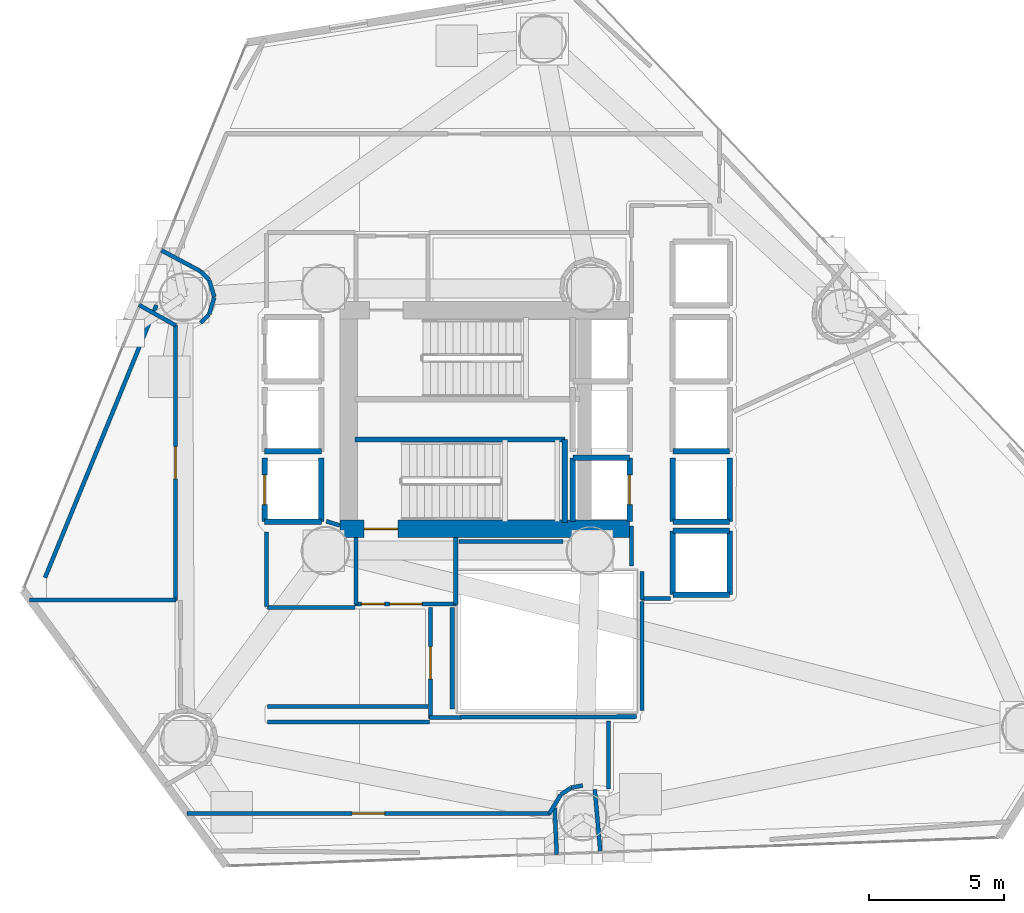
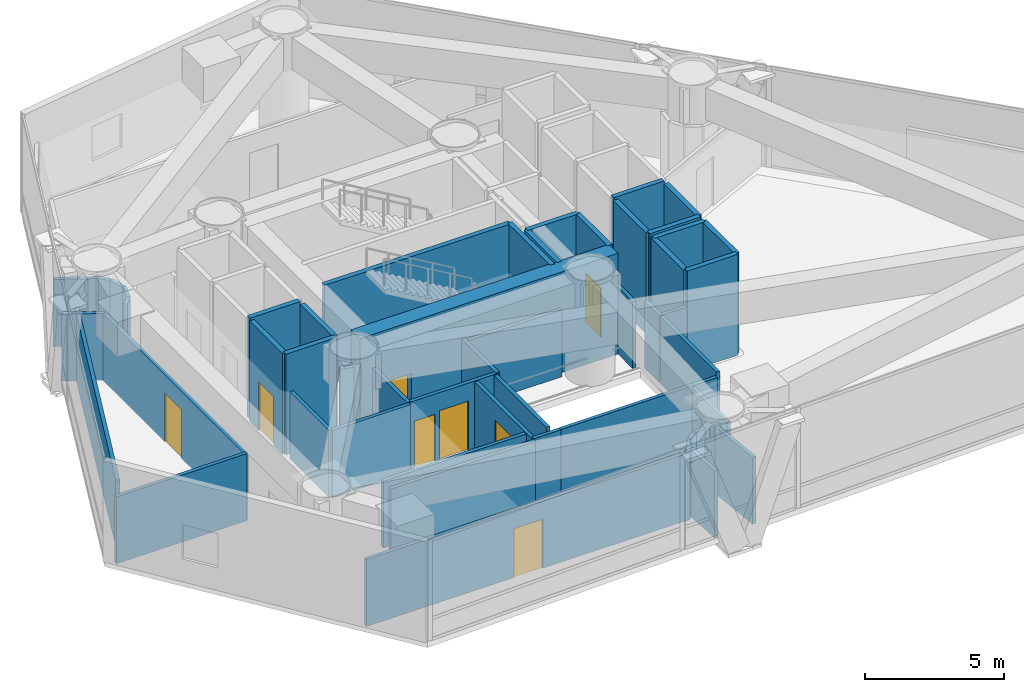
# One storey, part 17 of 22: 51 walls, 8 doors, 8 openings.
"""IFC4 building model written with IfcOpenShell, lengths in metres."""

from ifc_helpers import new_model, si_unit, direction, frame, frame_2d, origin, place, context, subcontext, project, spatial, rectangle, extrude, material, layer, layer_set, type_object, element, fill, save


model = new_model("IFC4")

# Units and contexts
model_context = context("Model", 3, precision=1e-05, world=origin(), true_north=direction((0.0, 1.0)))
body_context = subcontext(model_context, "Body", "Model", "MODEL_VIEW")
ifc_project = project(units=[si_unit("LENGTHUNIT", "METRE"), si_unit("AREAUNIT", "SQUARE_METRE"), si_unit("VOLUMEUNIT", "CUBIC_METRE"), si_unit("PLANEANGLEUNIT", "RADIAN"), si_unit("MASSUNIT", "GRAM", prefix="KILO")], contexts=[model_context])

# Site, building, storey
site_placement = place(None, origin())
site = spatial("IfcSite", under=ifc_project, at=site_placement, CompositionType="ELEMENT")
building_placement = place(site_placement, origin())
building = spatial("IfcBuilding", under=site, at=building_placement, Name="Qianvela Tower", CompositionType="ELEMENT")
storey_placement = place(building_placement, frame((0.0, 0.0, 47.89990234375)))
storey = spatial("IfcBuildingStorey", under=building, at=storey_placement, Name="L11", CompositionType="ELEMENT", Elevation=47.89990234375)

# Wall, opening, door
ifc_material_1 = material(Name="Concrete C60", Category="concrete")
ifc_layer_1 = layer(ifc_material_1, 0.64990234375)
ifc_layer_set_1 = layer_set([ifc_layer_1], Name="Concrete C60")
wall_type_1 = type_object("IfcWallType", Name="WT-CORE-650", PredefinedType="SHEAR", material=ifc_layer_set_1)
wall_1_placement = place(storey_placement, frame((29.1298828125, 24.655029296875, 0.0), z_axis=(0.0, 0.0, 1.0), x_axis=(1.0, 0.0, 0.0)))
wall_1 = element("IfcWall", 1, at=wall_1_placement, inside=storey, type_object=wall_type_1, Name="L11 South Core Shear Wall", PredefinedType="SHEAR", context=body_context, shape_type="SweptSolid", body=[
    extrude(rectangle(XDim=10.72021484375, YDim=0.64990234375, at=frame_2d((5.360107421875, 0.0))), origin(), (0.0, 0.0, 1.0), 4.420166015625),
])
opening_1_placement = place(wall_1_placement, frame((0.89501953125, 0.0, 0.0)))
opening_1 = element("IfcOpeningElement", 2, at=opening_1_placement, cuts=wall_1, Name="Opening D-ST1", PredefinedType="OPENING", context=body_context, shape_type="SweptSolid", body=[
    extrude(rectangle(XDim=1.25, YDim=2.14990234375, at=frame_2d((0.625, 1.074951171875))), frame((0.0, 0.3349609375, 0.0), z_axis=(0.0, -1.0, 0.0), x_axis=(1.0, 0.0, 0.0)), (0.0, 0.0, 1.0), 0.669921875),
])
ifc_material_2 = material(Name="Galvanised Fire Steel Q355B", Category="steel")
door_type_1 = type_object("IfcDoorType", Name="DT-STAIR-FD90", OperationType="NOTDEFINED", PredefinedType="DOOR", material=ifc_material_2)
door_1_placement = place(opening_1_placement, origin())
door_1 = element("IfcDoor", 3, at=door_1_placement, inside=storey, type_object=door_type_1, Name="L11 Stair ST-2 Exit Door", OperationType="SINGLE_SWING_LEFT", OverallHeight=2.14990234375, OverallWidth=1.25, PredefinedType="DOOR", context=body_context, shape_type="SweptSolid", body=[
    extrude(rectangle(XDim=1.25, YDim=2.14990234375, at=frame_2d((0.625, 1.074951171875))), frame((0.0, 0.02490234375, 0.0), z_axis=(0.0, -1.0, 0.0), x_axis=(1.0, 0.0, 0.0)), (0.0, 0.0, 1.0), 0.050048828125),
])
fill(opening_1, door_1)

# Wall, openings, doors
ifc_material_3 = material(Name="Fire-Rated Acoustic Gypsum Board")
ifc_layer_2 = layer(ifc_material_3, 0.14990234375)
ifc_layer_set_2 = layer_set([ifc_layer_2], Name="Fire-Rated Acoustic Gypsum Board")
wall_type_2 = type_object("IfcWallType", Name="WT-CORR-150", PredefinedType="PARTITIONING", material=ifc_layer_set_2)
wall_2_placement = place(storey_placement, frame((33.449951171875, 21.881103515625, 0.0), z_axis=(0.0, 0.0, 1.0), x_axis=(-1.0, 0.0, 0.0)))
wall_2 = element("IfcWall", 4, at=wall_2_placement, inside=storey, type_object=wall_type_2, Name="L11 Partition 5", PredefinedType="PARTITIONING", context=body_context, shape_type="SweptSolid", body=[
    extrude(rectangle(XDim=3.75, YDim=0.14990234375, at=frame_2d((1.875, 0.0))), origin(), (0.0, 0.0, 1.0), 2.940185546875),
])
opening_2_placement = place(wall_2_placement, frame((1.27490234375, 0.0, 0.0)))
opening_2 = element("IfcOpeningElement", 5, at=opening_2_placement, cuts=wall_2, Name="Opening D-LB1", PredefinedType="OPENING", context=body_context, shape_type="SweptSolid", body=[
    extrude(rectangle(XDim=1.199951171875, YDim=2.14990234375, at=frame_2d((0.60009765625, 1.074951171875))), frame((0.0, 0.0849609375, 0.0), z_axis=(0.0, -1.0, 0.0), x_axis=(1.0, 0.0, 0.0)), (0.0, 0.0, 1.0), 0.169921875),
])
opening_3_placement = place(wall_2_placement, frame((2.659912109375, 0.0, 0.0)))
opening_3 = element("IfcOpeningElement", 6, at=opening_3_placement, cuts=wall_2, Name="Opening D-LB2", PredefinedType="OPENING", context=body_context, shape_type="SweptSolid", body=[
    extrude(rectangle(XDim=0.860107421875, YDim=2.050048828125, at=frame_2d((0.43017578125, 1.02490234375))), frame((0.0, 0.0849609375, 0.0), z_axis=(0.0, -1.0, 0.0), x_axis=(1.0, 0.0, 0.0)), (0.0, 0.0, 1.0), 0.169921875),
])
ifc_material_4 = material(Name="Glazed Fire-Rated Steel Frame", Category="steel")
door_type_2 = type_object("IfcDoorType", Name="DT-LOBBY-FD90", OperationType="NOTDEFINED", PredefinedType="DOOR", material=ifc_material_4)
door_2_placement = place(opening_2_placement, origin())
door_2 = element("IfcDoor", 7, at=door_2_placement, inside=storey, type_object=door_type_2, Name="L11 Door L11 Firefighting Lobby South to L11 Mechanical Plant Corridor", OperationType="SINGLE_SWING_RIGHT", OverallHeight=2.14990234375, OverallWidth=1.199951171875, PredefinedType="DOOR", context=body_context, shape_type="SweptSolid", body=[
    extrude(rectangle(XDim=1.199951171875, YDim=2.14990234375, at=frame_2d((0.60009765625, 1.074951171875))), frame((0.0, 0.02490234375, 0.0), z_axis=(0.0, -1.0, 0.0), x_axis=(1.0, 0.0, 0.0)), (0.0, 0.0, 1.0), 0.050048828125),
])
fill(opening_2, door_2)
ifc_material_5 = material(Name="Insulated Steel Fire Door Q355B", Category="steel")
door_type_3 = type_object("IfcDoorType", Name="DT-LOBBY-FD90-860", OperationType="NOTDEFINED", PredefinedType="DOOR", material=ifc_material_5)
door_3_placement = place(opening_3_placement, origin())
door_3 = element("IfcDoor", 8, at=door_3_placement, inside=storey, type_object=door_type_3, Name="L11 Door L11 Firefighting Lobby South to L11 Mechanical Plant Corridor", OperationType="SINGLE_SWING_RIGHT", OverallHeight=2.050048828125, OverallWidth=0.860107421875, PredefinedType="DOOR", context=body_context, shape_type="SweptSolid", body=[
    extrude(rectangle(XDim=0.860107421875, YDim=2.050048828125, at=frame_2d((0.43017578125, 1.02490234375))), frame((0.0, 0.02490234375, 0.0), z_axis=(0.0, -1.0, 0.0), x_axis=(1.0, 0.0, 0.0)), (0.0, 0.0, 1.0), 0.050048828125),
])
fill(opening_3, door_3)

# Walls
for number, where, z_axis, x_axis, name in (
    (9, (29.73095703125, 21.85009765625, 0.0), (0.0, 0.0, 1.0), (0.0, 1.0, 0.0), "L11 Partition 6"),
    (10, (33.4189453125, 24.342041015625, 0.0), (0.0, 0.0, 1.0), (0.0, -1.0, 0.0), "L11 Partition 8"),
):
    element("IfcWall", number, at=place(storey_placement, frame(where, z_axis=z_axis, x_axis=x_axis)), inside=storey, type_object=wall_type_2, Name=name, PredefinedType="PARTITIONING", context=body_context, shape_type="SweptSolid", body=[
        extrude(rectangle(XDim=2.491943359375, YDim=0.14990234375, at=frame_2d((1.24609375, 0.0))), origin(), (0.0, 0.0, 1.0), 2.940185546875),
    ])
wall_3_placement = place(storey_placement, frame((41.360107421875, 22.0810546875, 0.0), z_axis=(0.0, 0.0, 1.0), x_axis=(-1.0, 0.0, 0.0)))
element("IfcWall", 11, at=wall_3_placement, inside=storey, type_object=wall_type_2, Name="L11 Partition 15", PredefinedType="PARTITIONING", context=body_context, shape_type="SweptSolid", body=[
    extrude(rectangle(XDim=1.080078125, YDim=0.14990234375, at=frame_2d((0.5400390625, 0.0))), origin(), (0.0, 0.0, 1.0), 2.940185546875),
])
wall_4_placement = place(storey_placement, frame((40.31103515625, 22.05029296875, 0.0), z_axis=(0.0, 0.0, 1.0), x_axis=(-0.011836292006, 0.999929948642, 0.0)))
element("IfcWall", 12, at=wall_4_placement, inside=storey, type_object=wall_type_2, Name="L11 Partition 16", PredefinedType="PARTITIONING", context=body_context, shape_type="SweptSolid", body=[
    extrude(rectangle(XDim=1.03125, YDim=0.14990234375, at=frame_2d((0.515625, 0.0))), origin(), (0.0, 0.0, 1.0), 2.940185546875),
])
wall_5_placement = place(storey_placement, frame((39.910888671875, 23.27978515625, 0.0), z_axis=(0.0, 0.0, 1.0), x_axis=(0.009397771291, 0.999955839972, 0.0)))
element("IfcWall", 13, at=wall_5_placement, inside=storey, type_object=wall_type_2, Name="L11 Partition 17", PredefinedType="PARTITIONING", context=body_context, shape_type="SweptSolid", body=[
    extrude(rectangle(XDim=1.480712890625, YDim=0.14990234375, at=frame_2d((0.740234375, 0.0))), origin(), (0.0, 0.0, 1.0), 2.940185546875),
])
wall_6_placement = place(storey_placement, frame((29.1298828125, 24.781982421875, 0.0), z_axis=(0.0, 0.0, 1.0), x_axis=(-0.955000482512, 0.296604245422, 0.0)))
element("IfcWall", 14, at=wall_6_placement, inside=storey, type_object=wall_type_2, Name="L11 Partition 23", PredefinedType="PARTITIONING", context=body_context, shape_type="SweptSolid", body=[
    extrude(rectangle(XDim=0.5244140625, YDim=0.14990234375, at=frame_2d((0.26220703125, 0.0))), origin(), (0.0, 0.0, 1.0), 2.940185546875),
])
wall_7_placement = place(storey_placement, frame((37.388671875, 24.180908203125, 0.0), z_axis=(0.0, 0.0, 1.0), x_axis=(-1.0, 0.0, 0.0)))
element("IfcWall", 15, at=wall_7_placement, inside=storey, type_object=wall_type_2, Name="L11 Partition 29", PredefinedType="PARTITIONING", context=body_context, shape_type="SweptSolid", body=[
    extrude(rectangle(XDim=3.858642578125, YDim=0.14990234375, at=frame_2d((1.92919921875, 0.0))), origin(), (0.0, 0.0, 1.0), 2.940185546875),
])
wall_8_placement = place(storey_placement, frame((21.70751953125, 32.93505859375, 0.0), z_axis=(0.0, 0.0, 1.0), x_axis=(0.873014270305, -0.487694662512, 0.0)))
element("IfcWall", 16, at=wall_8_placement, inside=storey, type_object=wall_type_2, Name="L11 Partition 31", PredefinedType="PARTITIONING", context=body_context, shape_type="SweptSolid", body=[
    extrude(rectangle(XDim=1.554931640625, YDim=0.14990234375, at=frame_2d((0.77734375, 0.0))), origin(), (0.0, 0.0, 1.0), 2.940185546875),
])

# Wall, opening, door
wall_9_placement = place(storey_placement, frame((23.049072265625, 32.203857421875, 0.0), z_axis=(0.0, 0.0, 1.0), x_axis=(0.0, -1.0, 0.0)))
wall_9 = element("IfcWall", 17, at=wall_9_placement, inside=storey, type_object=wall_type_2, Name="L11 Partition 32", PredefinedType="PARTITIONING", context=body_context, shape_type="SweptSolid", body=[
    extrude(rectangle(XDim=10.203857421875, YDim=0.14990234375, at=frame_2d((5.10205078125, 0.0))), origin(), (0.0, 0.0, 1.0), 2.940185546875),
])
opening_4_placement = place(wall_9_placement, frame((4.501953125, 0.0, 0.0)))
opening_4 = element("IfcOpeningElement", 18, at=opening_4_placement, cuts=wall_9, Name="Opening D-LB1", PredefinedType="OPENING", context=body_context, shape_type="SweptSolid", body=[
    extrude(rectangle(XDim=1.199951171875, YDim=2.14990234375, at=frame_2d((0.60009765625, 1.074951171875))), frame((0.0, 0.0849609375, 0.0), z_axis=(0.0, -1.0, 0.0), x_axis=(1.0, 0.0, 0.0)), (0.0, 0.0, 1.0), 0.169921875),
])
door_4_placement = place(opening_4_placement, origin())
door_4 = element("IfcDoor", 19, at=door_4_placement, inside=storey, type_object=door_type_2, Name="L11 Door L11 Fire Refuge Area North to L11 Mechanical Plant Corridor", OperationType="SINGLE_SWING_RIGHT", OverallHeight=2.14990234375, OverallWidth=1.199951171875, PredefinedType="DOOR", context=body_context, shape_type="SweptSolid", body=[
    extrude(rectangle(XDim=1.199951171875, YDim=2.14990234375, at=frame_2d((0.60009765625, 1.074951171875))), frame((0.0, 0.02490234375, 0.0), z_axis=(0.0, -1.0, 0.0), x_axis=(1.0, 0.0, 0.0)), (0.0, 0.0, 1.0), 0.050048828125),
])
fill(opening_4, door_4)

# Walls
wall_10_placement = place(storey_placement, frame((23.080078125, 22.031005859375, 0.0), z_axis=(0.0, 0.0, 1.0), x_axis=(-1.0, 0.0, 0.0)))
element("IfcWall", 20, at=wall_10_placement, inside=storey, type_object=wall_type_2, Name="L11 Partition 33", PredefinedType="PARTITIONING", context=body_context, shape_type="SweptSolid", body=[
    extrude(rectangle(XDim=5.425537109375, YDim=0.14990234375, at=frame_2d((2.712890625, 0.0))), origin(), (0.0, 0.0, 1.0), 2.940185546875),
])
wall_11_placement = place(storey_placement, frame((18.228759765625, 22.853515625, 0.0), z_axis=(0.0, 0.0, 1.0), x_axis=(0.378492290578, 0.925604443579, 0.0)))
element("IfcWall", 21, at=wall_11_placement, inside=storey, type_object=wall_type_2, Name="L11 Partition 34", PredefinedType="PARTITIONING", context=body_context, shape_type="SweptSolid", body=[
    extrude(rectangle(XDim=10.889404296875, YDim=0.14990234375, at=frame_2d((5.44482421875, 0.0))), origin(), (0.0, 0.0, 1.0), 2.940185546875),
])
wall_12_placement = place(storey_placement, frame((33.60009765625, 17.68896484375, 0.0), z_axis=(0.0, 0.0, 1.0), x_axis=(0.999995817826, 0.002892115308, 0.0)))
element("IfcWall", 22, at=wall_12_placement, inside=storey, type_object=wall_type_2, Name="L11 Partition 35", PredefinedType="PARTITIONING", context=body_context, shape_type="SweptSolid", body=[
    extrude(rectangle(XDim=6.5, YDim=0.14990234375, at=frame_2d((3.25, 0.0))), origin(), (0.0, 0.0, 1.0), 2.940185546875),
])
wall_13_placement = place(storey_placement, frame((33.60009765625, 17.680908203125, 0.0), z_axis=(0.0, 0.0, 1.0), x_axis=(-1.0, 0.0, 0.0)))
element("IfcWall", 23, at=wall_13_placement, inside=storey, type_object=wall_type_2, Name="L11 Partition 36 seg 1", PredefinedType="PARTITIONING", context=body_context, shape_type="SweptSolid", body=[
    extrude(rectangle(XDim=1.150146484375, YDim=0.14990234375, at=frame_2d((0.5751953125, 0.0))), origin(), (0.0, 0.0, 1.0), 2.940185546875),
])

# Wall, opening, door
wall_14_placement = place(storey_placement, frame((32.48095703125, 17.64990234375, 0.0), z_axis=(0.0, 0.0, 1.0), x_axis=(0.0, 1.0, 0.0)))
wall_14 = element("IfcWall", 24, at=wall_14_placement, inside=storey, type_object=wall_type_2, Name="L11 Partition 37", PredefinedType="PARTITIONING", context=body_context, shape_type="SweptSolid", body=[
    extrude(rectangle(XDim=4.10009765625, YDim=0.14990234375, at=frame_2d((2.050048828125, 0.0))), origin(), (0.0, 0.0, 1.0), 2.940185546875),
])
opening_5_placement = place(wall_14_placement, frame((1.449951171875, 0.0, 0.0)))
opening_5 = element("IfcOpeningElement", 25, at=opening_5_placement, cuts=wall_14, Name="Opening D-LB1", PredefinedType="OPENING", context=body_context, shape_type="SweptSolid", body=[
    extrude(rectangle(XDim=1.199951171875, YDim=2.14990234375, at=frame_2d((0.60009765625, 1.074951171875))), frame((0.0, 0.0849609375, 0.0), z_axis=(0.0, -1.0, 0.0), x_axis=(1.0, 0.0, 0.0)), (0.0, 0.0, 1.0), 0.169921875),
])
door_5_placement = place(opening_5_placement, origin())
door_5 = element("IfcDoor", 26, at=door_5_placement, inside=storey, type_object=door_type_2, Name="L11 Door L11 Fire Refuge Area South to L11 Mechanical Plant Corridor", OperationType="SINGLE_SWING_LEFT", OverallHeight=2.14990234375, OverallWidth=1.199951171875, PredefinedType="DOOR", context=body_context, shape_type="SweptSolid", body=[
    extrude(rectangle(XDim=1.199951171875, YDim=2.14990234375, at=frame_2d((0.60009765625, 1.074951171875))), frame((0.0, 0.02490234375, 0.0), z_axis=(0.0, -1.0, 0.0), x_axis=(1.0, 0.0, 0.0)), (0.0, 0.0, 1.0), 0.050048828125),
])
fill(opening_5, door_5)

# Walls
wall_15_placement = place(storey_placement, frame((33.2890625, 21.75, 0.0), z_axis=(0.0, 0.0, 1.0), x_axis=(0.0, -1.0, 0.0)))
element("IfcWall", 27, at=wall_15_placement, inside=storey, type_object=wall_type_2, Name="L11 Partition 38", PredefinedType="PARTITIONING", context=body_context, shape_type="SweptSolid", body=[
    extrude(rectangle(XDim=3.75, YDim=0.14990234375, at=frame_2d((1.875, 0.0))), origin(), (0.0, 0.0, 1.0), 2.940185546875),
])
wall_16_placement = place(storey_placement, frame((24.298828125, 32.5966796875, 0.0), z_axis=(0.0, 0.0, 1.0), x_axis=(0.290549117662, 0.956860078708, 0.0)))
element("IfcWall", 28, at=wall_16_placement, inside=storey, type_object=wall_type_2, Name="L11 Partition 39", PredefinedType="PARTITIONING", context=body_context, shape_type="SweptSolid", body=[
    extrude(rectangle(XDim=0.650390625, YDim=0.14990234375, at=frame_2d((0.3251953125, 0.0))), origin(), (0.0, 0.0, 1.0), 2.940185546875),
])
wall_17_placement = place(storey_placement, frame((24.48779296875, 33.237060546875, 0.0), z_axis=(0.0, 0.0, 1.0), x_axis=(-0.290653516442, 0.956828371956, 0.0)))
element("IfcWall", 29, at=wall_17_placement, inside=storey, type_object=wall_type_2, Name="L11 Partition 40", PredefinedType="PARTITIONING", context=body_context, shape_type="SweptSolid", body=[
    extrude(rectangle(XDim=0.650146484375, YDim=0.14990234375, at=frame_2d((0.3251953125, 0.0))), origin(), (0.0, 0.0, 1.0), 2.940185546875),
])
wall_18_placement = place(storey_placement, frame((24.291259765625, 33.872314453125, 0.0), z_axis=(0.0, 0.0, 1.0), x_axis=(-0.707386104394, 0.706827347597, 0.0)))
element("IfcWall", 30, at=wall_18_placement, inside=storey, type_object=wall_type_2, Name="L11 Partition 41", PredefinedType="PARTITIONING", context=body_context, shape_type="SweptSolid", body=[
    extrude(rectangle(XDim=0.43701171875, YDim=0.14990234375, at=frame_2d((0.218505859375, 0.0))), origin(), (0.0, 0.0, 1.0), 2.940185546875),
])
wall_19_placement = place(storey_placement, frame((23.974853515625, 34.1865234375, 0.0), z_axis=(0.0, 0.0, 1.0), x_axis=(-0.881868462389, 0.471495509039, 0.0)))
element("IfcWall", 31, at=wall_19_placement, inside=storey, type_object=wall_type_2, Name="L11 Partition 42", PredefinedType="PARTITIONING", context=body_context, shape_type="SweptSolid", body=[
    extrude(rectangle(XDim=1.633544921875, YDim=0.14990234375, at=frame_2d((0.81689453125, 0.0))), origin(), (0.0, 0.0, 1.0), 2.940185546875),
])
wall_20_placement = place(storey_placement, frame((26.4189453125, 24.54833984375, 0.0), z_axis=(0.0, 0.0, 1.0), x_axis=(0.0, -1.0, 0.0)))
element("IfcWall", 32, at=wall_20_placement, inside=storey, type_object=wall_type_2, Name="L11 Partition 52", PredefinedType="PARTITIONING", context=body_context, shape_type="SweptSolid", body=[
    extrude(rectangle(XDim=2.768310546875, YDim=0.14990234375, at=frame_2d((1.38427734375, 0.0))), origin(), (0.0, 0.0, 1.0), 2.940185546875),
])
wall_21_placement = place(storey_placement, frame((26.449951171875, 21.7490234375, 0.0), z_axis=(0.0, 0.0, 1.0), x_axis=(1.0, 0.0, 0.0)))
element("IfcWall", 33, at=wall_21_placement, inside=storey, type_object=wall_type_2, Name="L11 Partition 53 seg 1", PredefinedType="PARTITIONING", context=body_context, shape_type="SweptSolid", body=[
    extrude(rectangle(XDim=3.25, YDim=0.14990234375, at=frame_2d((1.625, 0.0))), origin(), (0.0, 0.0, 1.0), 2.940185546875),
])
wall_22_placement = place(storey_placement, frame((32.387939453125, 18.0810546875, 0.0), z_axis=(0.0, 0.0, 1.0), x_axis=(-1.0, 0.0, 0.0)))
element("IfcWall", 34, at=wall_22_placement, inside=storey, type_object=wall_type_2, Name="L11 Partition 55", PredefinedType="PARTITIONING", context=body_context, shape_type="SweptSolid", body=[
    extrude(rectangle(XDim=5.93798828125, YDim=0.14990234375, at=frame_2d((2.968994140625, 0.0))), origin(), (0.0, 0.0, 1.0), 2.940185546875),
])
wall_23_placement = place(storey_placement, frame((26.449951171875, 17.51904296875, 0.0), z_axis=(0.0, 0.0, 1.0), x_axis=(1.0, 0.0, 0.0)))
element("IfcWall", 35, at=wall_23_placement, inside=storey, type_object=wall_type_2, Name="L11 Partition 56 seg 1", PredefinedType="PARTITIONING", context=body_context, shape_type="SweptSolid", body=[
    extrude(rectangle(XDim=6.0, YDim=0.14990234375, at=frame_2d((3.0, 0.0))), origin(), (0.0, 0.0, 1.0), 2.940185546875),
])
wall_24_placement = place(storey_placement, frame((39.069091796875, 17.550048828125, 0.0), z_axis=(0.0, 0.0, 1.0), x_axis=(0.0, -1.0, 0.0)))
element("IfcWall", 36, at=wall_24_placement, inside=storey, type_object=wall_type_2, Name="L11 Partition 57", PredefinedType="PARTITIONING", context=body_context, shape_type="SweptSolid", body=[
    extrude(rectangle(XDim=2.510498046875, YDim=0.14990234375, at=frame_2d((1.25537109375, 0.0))), origin(), (0.0, 0.0, 1.0), 2.940185546875),
])
wall_25_placement = place(storey_placement, frame((38.114013671875, 15.16650390625, 0.0), z_axis=(0.0, 0.0, 1.0), x_axis=(-0.980709346372, -0.195471680655, 0.0)))
element("IfcWall", 37, at=wall_25_placement, inside=storey, type_object=wall_type_2, Name="L11 Partition 59", PredefinedType="PARTITIONING", context=body_context, shape_type="SweptSolid", body=[
    extrude(rectangle(XDim=0.437255859375, YDim=0.14990234375, at=frame_2d((0.21875, 0.0))), origin(), (0.0, 0.0, 1.0), 2.940185546875),
])
wall_26_placement = place(storey_placement, frame((37.67431640625, 15.076416015625, 0.0), z_axis=(0.0, 0.0, 1.0), x_axis=(-0.83170640099, -0.555215690117, 0.0)))
element("IfcWall", 38, at=wall_26_placement, inside=storey, type_object=wall_type_2, Name="L11 Partition 60", PredefinedType="PARTITIONING", context=body_context, shape_type="SweptSolid", body=[
    extrude(rectangle(XDim=0.43701171875, YDim=0.14990234375, at=frame_2d((0.218505859375, 0.0))), origin(), (0.0, 0.0, 1.0), 2.940185546875),
])
wall_27_placement = place(storey_placement, frame((37.301513671875, 14.823974609375, 0.0), z_axis=(0.0, 0.0, 1.0), x_axis=(-0.516448492629, -0.856318255359, 0.0)))
element("IfcWall", 39, at=wall_27_placement, inside=storey, type_object=wall_type_2, Name="L11 Partition 61", PredefinedType="PARTITIONING", context=body_context, shape_type="SweptSolid", body=[
    extrude(rectangle(XDim=0.826904296875, YDim=0.14990234375, at=frame_2d((0.41357421875, 0.0))), origin(), (0.0, 0.0, 1.0), 2.940185546875),
])

# Wall, opening, door
wall_28_placement = place(storey_placement, frame((36.901123046875, 14.131103515625, 0.0), z_axis=(0.0, 0.0, 1.0), x_axis=(-1.0, 0.0, 0.0)))
wall_28 = element("IfcWall", 40, at=wall_28_placement, inside=storey, type_object=wall_type_2, Name="L11 Partition 62", PredefinedType="PARTITIONING", context=body_context, shape_type="SweptSolid", body=[
    extrude(rectangle(XDim=13.427734375, YDim=0.14990234375, at=frame_2d((6.7138671875, 0.0))), origin(), (0.0, 0.0, 1.0), 2.940185546875),
])
opening_6_placement = place(wall_28_placement, frame((6.114013671875, 0.0, 0.0)))
opening_6 = element("IfcOpeningElement", 41, at=opening_6_placement, cuts=wall_28, Name="Opening D-LB1", PredefinedType="OPENING", context=body_context, shape_type="SweptSolid", body=[
    extrude(rectangle(XDim=1.199951171875, YDim=2.14990234375, at=frame_2d((0.60009765625, 1.074951171875))), frame((0.0, 0.0849609375, 0.0), z_axis=(0.0, -1.0, 0.0), x_axis=(1.0, 0.0, 0.0)), (0.0, 0.0, 1.0), 0.169921875),
])
door_6_placement = place(opening_6_placement, origin())
door_6 = element("IfcDoor", 42, at=door_6_placement, inside=storey, type_object=door_type_2, Name="L11 Door L11 Fire Refuge Area 3 to L11 Mechanical Plant Corridor", OperationType="SINGLE_SWING_RIGHT", OverallHeight=2.14990234375, OverallWidth=1.199951171875, PredefinedType="DOOR", context=body_context, shape_type="SweptSolid", body=[
    extrude(rectangle(XDim=1.199951171875, YDim=2.14990234375, at=frame_2d((0.60009765625, 1.074951171875))), frame((0.0, 0.02490234375, 0.0), z_axis=(0.0, -1.0, 0.0), x_axis=(1.0, 0.0, 0.0)), (0.0, 0.0, 1.0), 0.050048828125),
])
fill(opening_6, door_6)

# Walls
wall_29_placement = place(storey_placement, frame((23.982177734375, 32.27490234375, 0.0), z_axis=(0.0, 0.0, 1.0), x_axis=(0.707386104394, 0.706827347597, 0.0)))
element("IfcWall", 43, at=wall_29_placement, inside=storey, type_object=wall_type_2, Name="L11 Partition 72", PredefinedType="PARTITIONING", context=body_context, shape_type="SweptSolid", body=[
    extrude(rectangle(XDim=0.43701171875, YDim=0.14990234375, at=frame_2d((0.218505859375, 0.0))), origin(), (0.0, 0.0, 1.0), 2.940185546875),
])
wall_30_placement = place(storey_placement, frame((37.079833984375, 14.32177734375, 0.0), z_axis=(0.0, 0.0, 1.0), x_axis=(0.041874267807, -0.999122888185, 0.0)))
element("IfcWall", 44, at=wall_30_placement, inside=storey, type_object=wall_type_2, Name="L11 Partition 74", PredefinedType="PARTITIONING", context=body_context, shape_type="SweptSolid", body=[
    extrude(rectangle(XDim=1.708251953125, YDim=0.14990234375, at=frame_2d((0.85400390625, 0.0))), origin(), (0.0, 0.0, 1.0), 2.940185546875),
])
wall_31_placement = place(storey_placement, frame((40.3056640625, 17.9453125, 0.0), z_axis=(0.0, 0.0, 1.0), x_axis=(0.001334545369, 0.999999109494, 0.0)))
element("IfcWall", 45, at=wall_31_placement, inside=storey, type_object=wall_type_2, Name="L11 Partition 112 seg 1", PredefinedType="PARTITIONING", context=body_context, shape_type="SweptSolid", body=[
    extrude(rectangle(XDim=4.024658203125, YDim=0.14990234375, at=frame_2d((2.01220703125, 0.0))), origin(), (0.0, 0.0, 1.0), 2.940185546875),
])
wall_32_placement = place(storey_placement, frame((38.767333984375, 12.6748046875, 0.0), z_axis=(0.0, 0.0, 1.0), x_axis=(-0.087193991338, 0.996191351034, 0.0)))
element("IfcWall", 46, at=wall_32_placement, inside=storey, type_object=wall_type_2, Name="L11 Partition 122", PredefinedType="PARTITIONING", context=body_context, shape_type="SweptSolid", body=[
    extrude(rectangle(XDim=2.35205078125, YDim=0.14990234375, at=frame_2d((1.176025390625, 0.0))), origin(), (0.0, 0.0, 1.0), 2.940185546875),
])
ifc_material_6 = material(Name="Concrete C50", Category="concrete")
ifc_layer_3 = layer(ifc_material_6, 0.199951171875)
ifc_layer_set_3 = layer_set([ifc_layer_3], Name="Concrete C50")
wall_type_3 = type_object("IfcWallType", Name="WT-SHAFT-200", PredefinedType="SOLIDWALL", material=ifc_layer_set_3)
wall_33_placement = place(storey_placement, frame((29.699951171875, 27.9599609375, 0.0), z_axis=(0.0, 0.0, 1.0), x_axis=(1.0, 0.0, 0.0)))
element("IfcWall", 47, at=wall_33_placement, inside=storey, type_object=wall_type_3, Name="L11 Stair ST-2 North Wall", PredefinedType="SOLIDWALL", context=body_context, shape_type="SweptSolid", body=[
    extrude(rectangle(XDim=7.75, YDim=0.199951171875, at=frame_2d((3.875, 0.0))), origin(), (0.0, 0.0, 1.0), 4.420166015625),
])
wall_34_placement = place(storey_placement, frame((37.449951171875, 24.89990234375, 0.0), z_axis=(0.0, 0.0, 1.0), x_axis=(0.0, 1.0, 0.0)))
element("IfcWall", 48, at=wall_34_placement, inside=storey, type_object=wall_type_3, Name="L11 Stair ST-2 East Wall", PredefinedType="SOLIDWALL", context=body_context, shape_type="SweptSolid", body=[
    extrude(rectangle(XDim=3.06005859375, YDim=0.199951171875, at=frame_2d((1.530029296875, 0.0))), origin(), (0.0, 0.0, 1.0), 4.420166015625),
])

# Wall, opening, door
wall_35_placement = place(storey_placement, frame((39.85009765625, 24.919921875, 0.0), z_axis=(0.0, 0.0, 1.0), x_axis=(0.0, 1.0, 0.0)))
wall_35 = element("IfcWall", 49, at=wall_35_placement, inside=storey, type_object=wall_type_3, Name="L11 Lift FL-2 E Shaft Wall", PredefinedType="SOLIDWALL", context=body_context, shape_type="SweptSolid", body=[
    extrude(rectangle(XDim=2.360107421875, YDim=0.199951171875, at=frame_2d((1.18017578125, 0.0))), origin(), (0.0, 0.0, 1.0), 4.420166015625),
])
opening_7_placement = place(wall_35_placement, frame((0.6298828125, 0.0, 0.0)))
opening_7 = element("IfcOpeningElement", 50, at=opening_7_placement, cuts=wall_35, Name="Opening LD-01", PredefinedType="OPENING", context=body_context, shape_type="SweptSolid", body=[
    extrude(rectangle(XDim=1.10009765625, YDim=2.14990234375, at=frame_2d((0.550048828125, 1.074951171875))), frame((0.0, 0.10986328125, 0.0), z_axis=(0.0, -1.0, 0.0), x_axis=(1.0, 0.0, 0.0)), (0.0, 0.0, 1.0), 0.219970703125),
])
ifc_material_7 = material(Name="Brushed Stainless Steel Lift Landing Door", Category="steel")
door_type_4 = type_object("IfcDoorType", Name="DT-LIFT-SLIDE-1100", OperationType="SLIDING_TO_LEFT", PredefinedType="DOOR", material=ifc_material_7)
door_7_placement = place(opening_7_placement, origin())
door_7 = element("IfcDoor", 51, at=door_7_placement, inside=storey, type_object=door_type_4, Name="L11 Lift FL-2 Sliding Landing Door", OperationType="SLIDING_TO_LEFT", OverallHeight=2.14990234375, OverallWidth=1.10009765625, PredefinedType="DOOR", context=body_context, shape_type="SweptSolid", body=[
    extrude(rectangle(XDim=1.10009765625, YDim=2.14990234375, at=frame_2d((0.550048828125, 1.074951171875))), frame((0.0, 0.02490234375, 0.0), z_axis=(0.0, -1.0, 0.0), x_axis=(1.0, 0.0, 0.0)), (0.0, 0.0, 1.0), 0.050048828125),
])
fill(opening_7, door_7)

# Walls
wall_36_placement = place(storey_placement, frame((37.75, 24.919921875, 0.0), z_axis=(0.0, 0.0, 1.0), x_axis=(0.0, 1.0, 0.0)))
element("IfcWall", 52, at=wall_36_placement, inside=storey, type_object=wall_type_3, Name="L11 Lift FL-2 W Shaft Wall", PredefinedType="SOLIDWALL", context=body_context, shape_type="SweptSolid", body=[
    extrude(rectangle(XDim=2.360107421875, YDim=0.199951171875, at=frame_2d((1.18017578125, 0.0))), origin(), (0.0, 0.0, 1.0), 4.420166015625),
])
wall_37_placement = place(storey_placement, frame((37.75, 27.280029296875, 0.0), z_axis=(0.0, 0.0, 1.0), x_axis=(1.0, 0.0, 0.0)))
element("IfcWall", 53, at=wall_37_placement, inside=storey, type_object=wall_type_3, Name="L11 Lift FL-2 N Shaft Wall", PredefinedType="SOLIDWALL", context=body_context, shape_type="SweptSolid", body=[
    extrude(rectangle(XDim=2.10009765625, YDim=0.199951171875, at=frame_2d((1.050048828125, 0.0))), origin(), (0.0, 0.0, 1.0), 4.420166015625),
])
wall_38_placement = place(storey_placement, frame((26.35009765625, 27.52001953125, 0.0), z_axis=(0.0, 0.0, 1.0), x_axis=(1.0, 0.0, 0.0)))
element("IfcWall", 54, at=wall_38_placement, inside=storey, type_object=wall_type_3, Name="L11 Lift PL-L2 S Shaft Wall", PredefinedType="SOLIDWALL", context=body_context, shape_type="SweptSolid", body=[
    extrude(rectangle(XDim=2.099853515625, YDim=0.199951171875, at=frame_2d((1.0498046875, 0.0))), origin(), (0.0, 0.0, 1.0), 4.420166015625),
])
wall_39_placement = place(storey_placement, frame((28.449951171875, 24.919921875, 0.0), z_axis=(0.0, 0.0, 1.0), x_axis=(0.0, 1.0, 0.0)))
element("IfcWall", 55, at=wall_39_placement, inside=storey, type_object=wall_type_3, Name="L11 Lift PL-L3 E Shaft Wall", PredefinedType="SOLIDWALL", context=body_context, shape_type="SweptSolid", body=[
    extrude(rectangle(XDim=2.360107421875, YDim=0.199951171875, at=frame_2d((1.18017578125, 0.0))), origin(), (0.0, 0.0, 1.0), 4.420166015625),
])

# Wall, opening, door
wall_40_placement = place(storey_placement, frame((26.35009765625, 24.919921875, 0.0), z_axis=(0.0, 0.0, 1.0), x_axis=(0.0, 1.0, 0.0)))
wall_40 = element("IfcWall", 56, at=wall_40_placement, inside=storey, type_object=wall_type_3, Name="L11 Lift PL-L3 W Shaft Wall", PredefinedType="SOLIDWALL", context=body_context, shape_type="SweptSolid", body=[
    extrude(rectangle(XDim=2.360107421875, YDim=0.199951171875, at=frame_2d((1.18017578125, 0.0))), origin(), (0.0, 0.0, 1.0), 4.420166015625),
])
opening_8_placement = place(wall_40_placement, frame((0.6298828125, 0.0, 0.0)))
opening_8 = element("IfcOpeningElement", 57, at=opening_8_placement, cuts=wall_40, Name="Opening LD-01", PredefinedType="OPENING", context=body_context, shape_type="SweptSolid", body=[
    extrude(rectangle(XDim=1.10009765625, YDim=2.14990234375, at=frame_2d((0.550048828125, 1.074951171875))), frame((0.0, 0.10986328125, 0.0), z_axis=(0.0, -1.0, 0.0), x_axis=(1.0, 0.0, 0.0)), (0.0, 0.0, 1.0), 0.219970703125),
])
door_8_placement = place(opening_8_placement, origin())
door_8 = element("IfcDoor", 58, at=door_8_placement, inside=storey, type_object=door_type_4, Name="L11 Lift PL-L3 Sliding Landing Door", OperationType="SLIDING_TO_LEFT", OverallHeight=2.14990234375, OverallWidth=1.10009765625, PredefinedType="DOOR", context=body_context, shape_type="SweptSolid", body=[
    extrude(rectangle(XDim=1.10009765625, YDim=2.14990234375, at=frame_2d((0.550048828125, 1.074951171875))), frame((0.0, 0.02490234375, 0.0), z_axis=(0.0, -1.0, 0.0), x_axis=(1.0, 0.0, 0.0)), (0.0, 0.0, 1.0), 0.050048828125),
])
fill(opening_8, door_8)

# Walls
wall_41_placement = place(storey_placement, frame((26.35009765625, 24.919921875, 0.0), z_axis=(0.0, 0.0, 1.0), x_axis=(1.0, 0.0, 0.0)))
element("IfcWall", 59, at=wall_41_placement, inside=storey, type_object=wall_type_3, Name="L11 Lift PL-L3 S Shaft Wall", PredefinedType="SOLIDWALL", context=body_context, shape_type="SweptSolid", body=[
    extrude(rectangle(XDim=2.099853515625, YDim=0.199951171875, at=frame_2d((1.0498046875, 0.0))), origin(), (0.0, 0.0, 1.0), 4.420166015625),
])
wall_42_placement = place(storey_placement, frame((41.449951171875, 27.52001953125, 0.0), z_axis=(0.0, 0.0, 1.0), x_axis=(1.0, 0.0, 0.0)))
element("IfcWall", 60, at=wall_42_placement, inside=storey, type_object=wall_type_3, Name="L11 Lift PL-M2 S Shaft Wall", PredefinedType="SOLIDWALL", context=body_context, shape_type="SweptSolid", body=[
    extrude(rectangle(XDim=2.10009765625, YDim=0.199951171875, at=frame_2d((1.050048828125, 0.0))), origin(), (0.0, 0.0, 1.0), 4.420166015625),
])
for number, where, z_axis, x_axis, name in (
    (61, (43.550048828125, 24.919921875, 0.0), (0.0, 0.0, 1.0), (0.0, 1.0, 0.0), "L11 Lift PL-M3 E Shaft Wall"),
    (62, (41.449951171875, 24.919921875, 0.0), (0.0, 0.0, 1.0), (0.0, 1.0, 0.0), "L11 Lift PL-M3 W Shaft Wall"),
):
    element("IfcWall", number, at=place(storey_placement, frame(where, z_axis=z_axis, x_axis=x_axis)), inside=storey, type_object=wall_type_3, Name=name, PredefinedType="SOLIDWALL", context=body_context, shape_type="SweptSolid", body=[
        extrude(rectangle(XDim=2.360107421875, YDim=0.199951171875, at=frame_2d((1.18017578125, 0.0))), origin(), (0.0, 0.0, 1.0), 4.420166015625),
    ])
wall_43_placement = place(storey_placement, frame((41.449951171875, 24.919921875, 0.0), z_axis=(0.0, 0.0, 1.0), x_axis=(1.0, 0.0, 0.0)))
element("IfcWall", 63, at=wall_43_placement, inside=storey, type_object=wall_type_3, Name="L11 Lift PL-M3 S Shaft Wall", PredefinedType="SOLIDWALL", context=body_context, shape_type="SweptSolid", body=[
    extrude(rectangle(XDim=2.10009765625, YDim=0.199951171875, at=frame_2d((1.050048828125, 0.0))), origin(), (0.0, 0.0, 1.0), 4.420166015625),
])
for number, where, z_axis, x_axis, name in (
    (64, (43.550048828125, 22.219970703125, 0.0), (0.0, 0.0, 1.0), (0.0, 1.0, 0.0), "L11 Lift PL-H2 E Shaft Wall"),
    (65, (41.449951171875, 22.219970703125, 0.0), (0.0, 0.0, 1.0), (0.0, 1.0, 0.0), "L11 Lift PL-H2 W Shaft Wall"),
):
    element("IfcWall", number, at=place(storey_placement, frame(where, z_axis=z_axis, x_axis=x_axis)), inside=storey, type_object=wall_type_3, Name=name, PredefinedType="SOLIDWALL", context=body_context, shape_type="SweptSolid", body=[
        extrude(rectangle(XDim=2.360107421875, YDim=0.199951171875, at=frame_2d((1.18017578125, 0.0))), origin(), (0.0, 0.0, 1.0), 4.420166015625),
    ])
for number, where, z_axis, x_axis, name in (
    (66, (41.449951171875, 24.580078125, 0.0), (0.0, 0.0, 1.0), (1.0, 0.0, 0.0), "L11 Lift PL-H2 N Shaft Wall"),
    (67, (41.449951171875, 22.219970703125, 0.0), (0.0, 0.0, 1.0), (1.0, 0.0, 0.0), "L11 Lift PL-H2 S Shaft Wall"),
):
    element("IfcWall", number, at=place(storey_placement, frame(where, z_axis=z_axis, x_axis=x_axis)), inside=storey, type_object=wall_type_3, Name=name, PredefinedType="SOLIDWALL", context=body_context, shape_type="SweptSolid", body=[
        extrude(rectangle(XDim=2.10009765625, YDim=0.199951171875, at=frame_2d((1.050048828125, 0.0))), origin(), (0.0, 0.0, 1.0), 4.420166015625),
    ])

save(model, "model.ifc")
